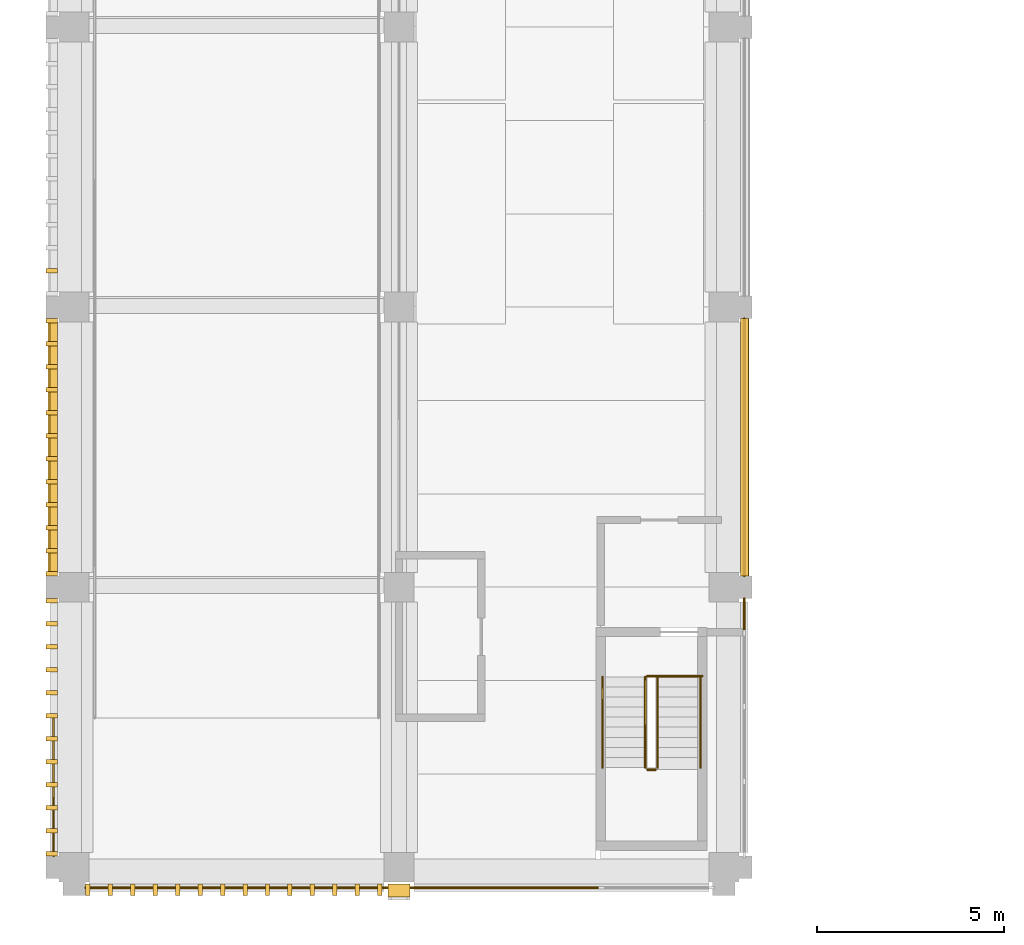
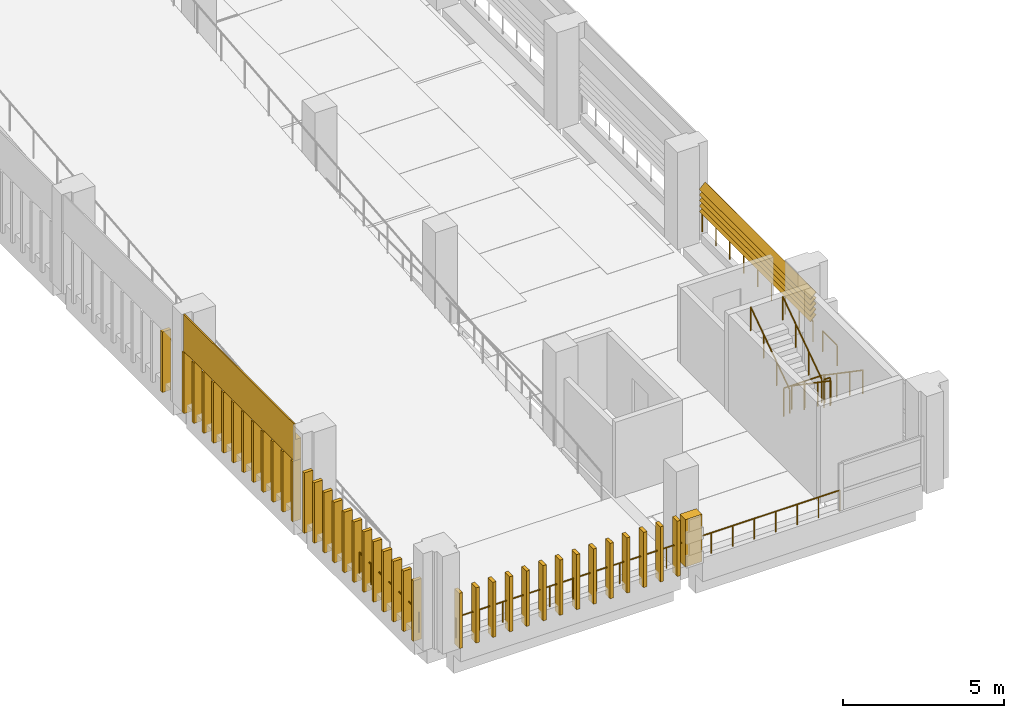
# One storey, part 39 of 71: 41 coverings, 11 railings, 5 shading devices.
"""IFC4 building model written with IfcOpenShell, lengths in metres."""

import ifcopenshell
import ifcopenshell.guid

model = None  # the IFC model being written
_history = None  # IfcOwnerHistory: only IFC2X3 demands one
_inside = {}  # id of a spatial element -> (the spatial element, [elements in it])
_under = {}  # id of a project, library or spatial element -> (it, [spatial elements below it])
_declared = {}  # id of a project -> (the project, [libraries it declares])
_typed = {}  # id of a type object -> (the type object, [elements of that type])
_made_of = {}  # id of a material, layer set ... -> (it, [elements and type objects made of it])


def new_model(schema):
    """Start an empty IFC model of exactly this schema.

    Asked for "IFC4X3", IfcOpenShell would pick the latest addendum, in which some entities
    have other attributes; the version numbers below select the first issue.
    IFC2X3 requires an IfcOwnerHistory on every rooted entity: one is made here for all.
    """
    global model, _history
    if schema == "IFC4X3":
        model = ifcopenshell.file(schema_version=(4, 3, 0, 0))
    else:
        model = ifcopenshell.file(schema=schema)
    _inside.clear()
    _under.clear()
    _declared.clear()
    _typed.clear()
    _made_of.clear()
    _history = None
    if model.schema == "IFC2X3":
        org = make("IfcOrganization", Name="unknown")
        user = make(
            "IfcPersonAndOrganization",
            ThePerson=make("IfcPerson", FamilyName="unknown"),
            TheOrganization=org,
        )
        app = make(
            "IfcApplication",
            ApplicationDeveloper=org,
            Version="unknown",
            ApplicationFullName="unknown",
            ApplicationIdentifier="unknown",
        )
        _history = make(
            "IfcOwnerHistory",
            OwningUser=user,
            OwningApplication=app,
            ChangeAction="ADDED",
            CreationDate=0,
        )
    return model


def make(cls, **values):
    """One entity of the class cls with the attributes given. An attribute that is None is left unset."""
    return model.create_entity(
        cls, **{name: value for name, value in values.items() if value is not None}
    )


def rooted(cls, **values):
    """An entity with a GlobalId (a new one), such as an element, a storey or a relation."""
    return make(cls, GlobalId=ifcopenshell.guid.new(), OwnerHistory=_history, **values)


def si_unit(unit_type, name, prefix=None):
    """IfcSIUnit, for example si_unit("LENGTHUNIT", "METRE", prefix="MILLI")."""
    return make("IfcSIUnit", UnitType=unit_type, Prefix=prefix, Name=name)


def assignment(units):
    """IfcUnitAssignment: the units of a project."""
    return None if units is None else make("IfcUnitAssignment", Units=units)


def point(xyz):
    """IfcCartesianPoint."""
    return None if xyz is None else make("IfcCartesianPoint", Coordinates=xyz)


def direction(xyz):
    """IfcDirection."""
    return None if xyz is None else make("IfcDirection", DirectionRatios=xyz)


def frame(location, z_axis=None, x_axis=None):
    """IfcAxis2Placement3D, a coordinate frame: its origin and axes. An axis left out is left unset."""
    return make(
        "IfcAxis2Placement3D",
        Location=point(location),
        Axis=direction(z_axis),
        RefDirection=direction(x_axis),
    )


def frame_2d(location, x_axis=None):
    """IfcAxis2Placement2D, a coordinate frame in the plane: its origin and x axis."""
    return make(
        "IfcAxis2Placement2D", Location=point(location), RefDirection=direction(x_axis)
    )


def origin():
    """The frame at (0, 0, 0) with its axes left unset."""
    return frame((0.0, 0.0, 0.0))


def origin_2d():
    """The frame at (0, 0) in the plane with its x axis left unset."""
    return frame_2d((0.0, 0.0))


def place(relative_to, where):
    """IfcLocalPlacement: puts the frame where relative to a parent placement (None: the world)."""
    return make(
        "IfcLocalPlacement", PlacementRelTo=relative_to, RelativePlacement=where
    )


def context(
    kind, dimensions, precision=None, world=None, true_north=None, identifier=None
):
    """IfcGeometricRepresentationContext, for example the 3D "Model" context."""
    return make(
        "IfcGeometricRepresentationContext",
        ContextIdentifier=identifier,
        ContextType=kind,
        CoordinateSpaceDimension=dimensions,
        Precision=precision,
        WorldCoordinateSystem=world,
        TrueNorth=true_north,
    )


def subcontext(parent, identifier, kind, view, scale=None):
    """IfcGeometricRepresentationSubContext, for example "Body" below "Model"."""
    return make(
        "IfcGeometricRepresentationSubContext",
        ContextIdentifier=identifier,
        ContextType=kind,
        ParentContext=parent,
        TargetScale=scale,
        TargetView=view,
    )


def project(units=None, contexts=None):
    """IfcProject with its units and contexts."""
    return rooted(
        "IfcProject",
        Name="project",
        RepresentationContexts=contexts,
        UnitsInContext=assignment(units),
    )


def spatial(cls, under=None, at=None, **own):
    """A site, building, storey or space (cls), placed at a placement, below another one or the project."""
    s = rooted(cls, ObjectPlacement=at, **own)
    if under is not None:
        _under.setdefault(under.id(), (under, []))[1].append(s)
    return s


def polyline(points):
    """IfcPolyline through the points."""
    return make("IfcPolyline", Points=[point(p) for p in points])


def profile(cls, at=None, kind="AREA", **sizes):
    """A parametric profile (cls). Its sizes go by their IFC names, for example OverallWidth=200.0."""
    return make(cls, ProfileType=kind, Position=at, **sizes)


def circle(**sizes):
    """IfcCircleProfileDef."""
    return profile("IfcCircleProfileDef", **sizes)


def outline(outer, holes=None, kind="AREA"):
    """IfcArbitraryClosedProfileDef: a profile drawn as a closed curve; with holes, ...WithVoids."""
    if holes is None:
        return make("IfcArbitraryClosedProfileDef", ProfileType=kind, OuterCurve=outer)
    return make(
        "IfcArbitraryProfileDefWithVoids",
        ProfileType=kind,
        OuterCurve=outer,
        InnerCurves=holes,
    )


def extrude(swept, where, along, depth):
    """IfcExtrudedAreaSolid: the profile swept, set in the frame where, extruded along a direction by depth."""
    return make(
        "IfcExtrudedAreaSolid",
        SweptArea=swept,
        Position=where,
        ExtrudedDirection=direction(along),
        Depth=depth,
    )


def shape(context_of_items, identifier, shape_type, items):
    """IfcShapeRepresentation: the items that make up one representation, for example the "Body"."""
    return make(
        "IfcShapeRepresentation",
        ContextOfItems=context_of_items,
        RepresentationIdentifier=identifier,
        RepresentationType=shape_type,
        Items=items,
    )


def material(Name=None, Category=None):
    """IfcMaterial."""
    return make("IfcMaterial", Name=Name, Category=Category)


def layer(
    of_material, thickness, ventilated=None, Name=None, Category=None, Priority=None
):
    """IfcMaterialLayer: one layer of a wall or slab, of a material (None: an air gap)."""
    return make(
        "IfcMaterialLayer",
        Material=of_material,
        LayerThickness=thickness,
        IsVentilated=ventilated,
        Name=Name,
        Category=Category,
        Priority=Priority,
    )


def layer_set(layers, Name=None):
    """IfcMaterialLayerSet."""
    return make("IfcMaterialLayerSet", MaterialLayers=layers, LayerSetName=Name)


def made_of(thing, what):
    """Note that an element or type object is made of a material, layer set ...; save() writes the relation."""
    if what is not None:
        _made_of.setdefault(what.id(), (what, []))[1].append(thing)
    return thing


def type_object(cls, material=None, **own):
    """A type object (cls), such as IfcWallType, which elements share."""
    return made_of(rooted(cls, **own), material)


def element(
    cls,
    number,
    at=None,
    inside=None,
    cuts=None,
    type_object=None,
    material=None,
    context=None,
    identifier="Body",
    shape_type=None,
    held_by="IfcProductDefinitionShape",
    body=None,
    shapes=None,
    **own,
):
    """One element of the class cls, such as IfcWall. Its Tag is "e" and its number.

    at: its placement. inside: the storey or other place that contains it. cuts: it is an
    opening in that element (IfcRelVoidsElement). A single representation is given by context,
    identifier, shape_type and body (its items); several are given by shapes. held_by: the class
    of the entity that holds the representations. save() writes the other relations.
    """
    e = rooted(cls, Tag="e%d" % number, ObjectPlacement=at, **own)
    if body is not None:
        shapes = [shape(context, identifier, shape_type, body)]
    if shapes is not None:
        e.Representation = make(held_by, Representations=shapes)
    if inside is not None:
        _inside.setdefault(inside.id(), (inside, []))[1].append(e)
    if cuts is not None:
        rooted(
            "IfcRelVoidsElement", RelatingBuildingElement=cuts, RelatedOpeningElement=e
        )
    if type_object is not None:
        _typed.setdefault(type_object.id(), (type_object, []))[1].append(e)
    return made_of(e, material)


def aggregate(whole, parts):
    """IfcRelAggregates: a whole, such as a stair, and the parts it consists of."""
    return rooted("IfcRelAggregates", RelatingObject=whole, RelatedObjects=parts)


def save(model, path):
    """Write the relations noted so far, then the file.

    IfcRelAggregates (storeys below a building ...), IfcRelContainedInSpatialStructure (elements
    in a storey), IfcRelDefinesByType, IfcRelAssociatesMaterial and IfcRelDeclares: one each for
    every whole, place, type object, material and project.
    """
    for whole, parts in _under.values():
        aggregate(whole, parts)
    for where, things in _inside.values():
        rooted(
            "IfcRelContainedInSpatialStructure",
            RelatedElements=things,
            RelatingStructure=where,
        )
    for kind, things in _typed.values():
        rooted("IfcRelDefinesByType", RelatedObjects=things, RelatingType=kind)
    for what, things in _made_of.values():
        rooted("IfcRelAssociatesMaterial", RelatedObjects=things, RelatingMaterial=what)
    for by, libraries in _declared.values():
        rooted("IfcRelDeclares", RelatingContext=by, RelatedDefinitions=libraries)
    model.write(path)


model = new_model("IFC4")

# Units and contexts
model_context = context("Model", 3, precision=1e-05, world=origin(), true_north=direction((0.0, 1.0)))
body_context = subcontext(model_context, "Body", "Model", "MODEL_VIEW")
ifc_project = project(units=[si_unit("LENGTHUNIT", "METRE"), si_unit("AREAUNIT", "SQUARE_METRE"), si_unit("VOLUMEUNIT", "CUBIC_METRE"), si_unit("PLANEANGLEUNIT", "RADIAN"), si_unit("MASSUNIT", "GRAM", prefix="KILO")], contexts=[model_context])

# Site, building, storey
site_placement = place(None, origin())
site = spatial("IfcSite", under=ifc_project, at=site_placement, CompositionType="ELEMENT")
building_placement = place(site_placement, origin())
building = spatial("IfcBuilding", under=site, at=building_placement, Name="Cour d'Honneur Mobility Palace", CompositionType="ELEMENT")
storey_placement = place(building_placement, frame((0.0, 0.0, 15.60009765625)))
storey = spatial("IfcBuildingStorey", under=building, at=storey_placement, Name="L04", CompositionType="ELEMENT", Elevation=15.60009765625)

# Railings
ifc_material_1 = material(Name="Painted steel", Category="steel")
railing_type_1 = type_object("IfcRailingType", Name="Balustrade", PredefinedType="BALUSTRADE", material=ifc_material_1)
railing_1_placement = place(storey_placement, frame((0.300048828125, -0.550048828125, 0.2998046875)))
element("IfcRailing", 1, at=railing_1_placement, inside=storey, type_object=railing_type_1, Name="Balustrade BAL-196", PredefinedType="BALUSTRADE", context=body_context, shape_type="SweptSolid", body=[
    extrude(circle(Radius=0.02392578125, at=origin_2d()), frame((0.0, 0.0, 0.77587890625), z_axis=(1.0, 0.0, 0.0), x_axis=(0.0, 1.0, 0.0)), (0.0, 0.0, 1.0), 8.39990234375),
    extrude(circle(Radius=0.02099609375, at=origin_2d()), origin(), (0.0, 0.0, 1.0), 0.751953125),
    extrude(circle(Radius=0.02099609375, at=origin_2d()), frame((0.840087890625, 0.0, 0.0)), (0.0, 0.0, 1.0), 0.751953125),
    extrude(circle(Radius=0.02099609375, at=origin_2d()), frame((1.679931640625, 0.0, 0.0)), (0.0, 0.0, 1.0), 0.751953125),
    extrude(circle(Radius=0.02099609375, at=origin_2d()), frame((2.52001953125, 0.0, 0.0)), (0.0, 0.0, 1.0), 0.751953125),
    extrude(circle(Radius=0.02099609375, at=origin_2d()), frame((3.35986328125, 0.0, 0.0)), (0.0, 0.0, 1.0), 0.751953125),
    extrude(circle(Radius=0.02099609375, at=origin_2d()), frame((4.199951171875, 0.0, 0.0)), (0.0, 0.0, 1.0), 0.751953125),
    extrude(circle(Radius=0.02099609375, at=origin_2d()), frame((5.0400390625, 0.0, 0.0)), (0.0, 0.0, 1.0), 0.751953125),
    extrude(circle(Radius=0.02099609375, at=origin_2d()), frame((5.8798828125, 0.0, 0.0)), (0.0, 0.0, 1.0), 0.751953125),
    extrude(circle(Radius=0.02099609375, at=origin_2d()), frame((6.719970703125, 0.0, 0.0)), (0.0, 0.0, 1.0), 0.751953125),
    extrude(circle(Radius=0.02099609375, at=origin_2d()), frame((7.559814453125, 0.0, 0.0)), (0.0, 0.0, 1.0), 0.751953125),
    extrude(circle(Radius=0.02099609375, at=origin_2d()), frame((8.39990234375, 0.0, 0.0)), (0.0, 0.0, 1.0), 0.751953125),
])
railing_2_placement = place(storey_placement, frame((8.699951171875, -0.550048828125, 0.2998046875)))
element("IfcRailing", 2, at=railing_2_placement, inside=storey, type_object=railing_type_1, Name="Balustrade BAL-197", PredefinedType="BALUSTRADE", context=body_context, shape_type="SweptSolid", body=[
    extrude(circle(Radius=0.02392578125, at=origin_2d()), frame((0.0, 0.0, 0.77587890625), z_axis=(1.0, 0.0, 0.0), x_axis=(0.0, 1.0, 0.0)), (0.0, 0.0, 1.0), 5.400146484375),
    extrude(circle(Radius=0.02099609375, at=origin_2d()), origin(), (0.0, 0.0, 1.0), 0.751953125),
    extrude(circle(Radius=0.02099609375, at=origin_2d()), frame((0.771484375, 0.0, 0.0)), (0.0, 0.0, 1.0), 0.751953125),
    extrude(circle(Radius=0.02099609375, at=origin_2d()), frame((1.54296875, 0.0, 0.0)), (0.0, 0.0, 1.0), 0.751953125),
    extrude(circle(Radius=0.02099609375, at=origin_2d()), frame((2.314453125, 0.0, 0.0)), (0.0, 0.0, 1.0), 0.751953125),
    extrude(circle(Radius=0.02099609375, at=origin_2d()), frame((3.085693359375, 0.0, 0.0)), (0.0, 0.0, 1.0), 0.751953125),
    extrude(circle(Radius=0.02099609375, at=origin_2d()), frame((3.857177734375, 0.0, 0.0)), (0.0, 0.0, 1.0), 0.751953125),
    extrude(circle(Radius=0.02099609375, at=origin_2d()), frame((4.628662109375, 0.0, 0.0)), (0.0, 0.0, 1.0), 0.751953125),
    extrude(circle(Radius=0.02099609375, at=origin_2d()), frame((5.400146484375, 0.0, 0.0)), (0.0, 0.0, 1.0), 0.751953125),
])
railing_3_placement = place(storey_placement, frame((17.949951171875, 6.300048828125, 0.2998046875)))
element("IfcRailing", 3, at=railing_3_placement, inside=storey, type_object=railing_type_1, Name="Balustrade BAL-198", PredefinedType="BALUSTRADE", context=body_context, shape_type="SweptSolid", body=[
    extrude(circle(Radius=0.02392578125, at=origin_2d()), frame((0.0, 0.0, 0.77587890625), z_axis=(0.0, 1.0, 0.0), x_axis=(-1.0, 0.0, 0.0)), (0.0, 0.0, 1.0), 0.89990234375),
    extrude(circle(Radius=0.02099609375, at=origin_2d()), origin(), (0.0, 0.0, 1.0), 0.751953125),
    extrude(circle(Radius=0.02099609375, at=origin_2d()), frame((0.0, 0.89990234375, 0.0)), (0.0, 0.0, 1.0), 0.751953125),
])
railing_4_placement = place(storey_placement, frame((17.949951171875, 7.800048828125, 0.2998046875)))
element("IfcRailing", 4, at=railing_4_placement, inside=storey, type_object=railing_type_1, Name="Balustrade BAL-199", PredefinedType="BALUSTRADE", context=body_context, shape_type="SweptSolid", body=[
    extrude(circle(Radius=0.02392578125, at=origin_2d()), frame((0.0, 0.0, 0.77587890625), z_axis=(0.0, 1.0, 0.0), x_axis=(-1.0, 0.0, 0.0)), (0.0, 0.0, 1.0), 6.89990234375),
    extrude(circle(Radius=0.02099609375, at=origin_2d()), origin(), (0.0, 0.0, 1.0), 0.751953125),
    extrude(circle(Radius=0.02099609375, at=origin_2d()), frame((0.0, 0.862548828125, 0.0)), (0.0, 0.0, 1.0), 0.751953125),
    extrude(circle(Radius=0.02099609375, at=origin_2d()), frame((0.0, 1.72509765625, 0.0)), (0.0, 0.0, 1.0), 0.751953125),
    extrude(circle(Radius=0.02099609375, at=origin_2d()), frame((0.0, 2.58740234375, 0.0)), (0.0, 0.0, 1.0), 0.751953125),
    extrude(circle(Radius=0.02099609375, at=origin_2d()), frame((0.0, 3.449951171875, 0.0)), (0.0, 0.0, 1.0), 0.751953125),
    extrude(circle(Radius=0.02099609375, at=origin_2d()), frame((0.0, 4.3125, 0.0)), (0.0, 0.0, 1.0), 0.751953125),
    extrude(circle(Radius=0.02099609375, at=origin_2d()), frame((0.0, 5.1748046875, 0.0)), (0.0, 0.0, 1.0), 0.751953125),
    extrude(circle(Radius=0.02099609375, at=origin_2d()), frame((0.0, 6.037353515625, 0.0)), (0.0, 0.0, 1.0), 0.751953125),
    extrude(circle(Radius=0.02099609375, at=origin_2d()), frame((0.0, 6.89990234375, 0.0)), (0.0, 0.0, 1.0), 0.751953125),
])
railing_5_placement = place(storey_placement, frame((-0.550048828125, 4.0, 0.2998046875)))
element("IfcRailing", 5, at=railing_5_placement, inside=storey, type_object=railing_type_1, Name="Balustrade BAL-260", PredefinedType="BALUSTRADE", context=body_context, shape_type="SweptSolid", body=[
    extrude(circle(Radius=0.02392578125, at=origin_2d()), frame((0.0, 0.0, 0.77587890625), z_axis=(0.0, -1.0, 0.0), x_axis=(1.0, 0.0, 0.0)), (0.0, 0.0, 1.0), 3.699951171875),
    extrude(circle(Radius=0.02099609375, at=origin_2d()), origin(), (0.0, 0.0, 1.0), 0.751953125),
    extrude(circle(Radius=0.02099609375, at=origin_2d()), frame((0.0, -0.739990234375, 0.0)), (0.0, 0.0, 1.0), 0.751953125),
    extrude(circle(Radius=0.02099609375, at=origin_2d()), frame((0.0, -1.47998046875, 0.0)), (0.0, 0.0, 1.0), 0.751953125),
    extrude(circle(Radius=0.02099609375, at=origin_2d()), frame((0.0, -2.219970703125, 0.0)), (0.0, 0.0, 1.0), 0.751953125),
    extrude(circle(Radius=0.02099609375, at=origin_2d()), frame((0.0, -2.9599609375, 0.0)), (0.0, 0.0, 1.0), 0.751953125),
    extrude(circle(Radius=0.02099609375, at=origin_2d()), frame((0.0, -3.699951171875, 0.0)), (0.0, 0.0, 1.0), 0.751953125),
])
ifc_material_2 = material(Name="Painted steel", Category="steel")
railing_type_2 = type_object("IfcRailingType", Name="Guardrail 1100", PredefinedType="GUARDRAIL", material=ifc_material_2)
railing_6_placement = place(storey_placement, frame((15.35009765625, 5.1201171875, 0.0)))
element("IfcRailing", 6, at=railing_6_placement, inside=storey, type_object=railing_type_2, Name="Guard ST-RW1", PredefinedType="GUARDRAIL", context=body_context, shape_type="SweptSolid", body=[
    extrude(circle(Radius=0.02490234375, at=origin_2d()), frame((0.0, 0.0, 1.0751953125), z_axis=(1.0, 0.0, 0.0), x_axis=(0.0, 1.0, 0.0)), (0.0, 0.0, 1.0), 1.474853515625),
    extrude(circle(Radius=0.02099609375, at=origin_2d()), origin(), (0.0, 0.0, 1.0), 1.050048828125),
    extrude(circle(Radius=0.02099609375, at=origin_2d()), frame((0.7373046875, 0.0, 0.0)), (0.0, 0.0, 1.0), 1.050048828125),
    extrude(circle(Radius=0.02099609375, at=origin_2d()), frame((1.474853515625, 0.0, 0.0)), (0.0, 0.0, 1.0), 1.050048828125),
])
railing_7_placement = place(storey_placement, frame((15.35009765625, 2.610107421875, 1.849853515625)))
element("IfcRailing", 7, at=railing_7_placement, inside=storey, type_object=railing_type_2, Name="Landing guard ST-RW1", PredefinedType="GUARDRAIL", context=body_context, shape_type="SweptSolid", body=[
    extrude(circle(Radius=0.02490234375, at=origin_2d()), frame((0.0, 0.0, 1.0751953125), z_axis=(1.0, 0.0, 0.0), x_axis=(0.0, 1.0, 0.0)), (0.0, 0.0, 1.0), 0.224853515625),
    extrude(circle(Radius=0.02099609375, at=origin_2d()), origin(), (0.0, 0.0, 1.0), 1.050048828125),
    extrude(circle(Radius=0.02099609375, at=origin_2d()), frame((0.224853515625, 0.0, 0.0)), (0.0, 0.0, 1.0), 1.050048828125),
])
ifc_material_3 = material(Name="Stainless steel", Category="steel")
railing_type_3 = type_object("IfcRailingType", Name="Handrail round 50", PredefinedType="HANDRAIL", material=ifc_material_3)
for number, where, name in (
    (8, (16.77490234375, 5.10009765625, 0.184814453125), "Handrail ST-RW1"),
    (9, (15.625, 5.10009765625, 0.184814453125), "Handrail ST-RW1"),
):
    element("IfcRailing", number, at=place(storey_placement, frame(where)), inside=storey, type_object=railing_type_3, Name=name, PredefinedType="HANDRAIL", context=body_context, shape_type="SweptSolid", body=[
        extrude(circle(Radius=0.02490234375, at=origin_2d()), frame((0.0, 0.0, 0.89501953125), z_axis=(0.0, -0.824945253146, 0.565212640793), x_axis=(1.0, 0.0, 0.0)), (0.0, 0.0, 1.0), 2.94580078125),
        extrude(circle(Radius=0.02099609375, at=origin_2d()), origin(), (0.0, 0.0, 1.0), 0.869873046875),
        extrude(circle(Radius=0.02099609375, at=origin_2d()), frame((0.0, -0.81005859375, 0.554931640625)), (0.0, 0.0, 1.0), 0.869873046875),
        extrude(circle(Radius=0.02099609375, at=origin_2d()), frame((0.0, -1.6201171875, 1.110107421875)), (0.0, 0.0, 1.0), 0.869873046875),
        extrude(circle(Radius=0.02099609375, at=origin_2d()), frame((0.0, -2.43017578125, 1.6650390625)), (0.0, 0.0, 1.0), 0.869873046875),
    ])
for number, where, name in (
    (10, (15.300048828125, 2.669921875, 2.034912109375), "Handrail ST-RW1"),
    (11, (14.14990234375, 2.669921875, 2.034912109375), "Handrail ST-RW1"),
):
    element("IfcRailing", number, at=place(storey_placement, frame(where)), inside=storey, type_object=railing_type_3, Name=name, PredefinedType="HANDRAIL", context=body_context, shape_type="SweptSolid", body=[
        extrude(circle(Radius=0.02490234375, at=origin_2d()), frame((0.0, 0.0, 0.89501953125), z_axis=(0.0, 0.824945253146, 0.565212640793), x_axis=(-1.0, 0.0, 0.0)), (0.0, 0.0, 1.0), 2.94580078125),
        extrude(circle(Radius=0.02099609375, at=origin_2d()), origin(), (0.0, 0.0, 1.0), 0.869873046875),
        extrude(circle(Radius=0.02099609375, at=origin_2d()), frame((0.0, 0.81005859375, 0.554931640625)), (0.0, 0.0, 1.0), 0.869873046875),
        extrude(circle(Radius=0.02099609375, at=origin_2d()), frame((0.0, 1.6201171875, 1.110107421875)), (0.0, 0.0, 1.0), 0.869873046875),
        extrude(circle(Radius=0.02099609375, at=origin_2d()), frame((0.0, 2.43017578125, 1.6650390625)), (0.0, 0.0, 1.0), 0.869873046875),
    ])

# Coverings
ifc_material_4 = material(Name="Cast limestone", Category="masonry")
ifc_layer_1 = layer(ifc_material_4, 0.35009765625)
ifc_layer_set_1 = layer_set([ifc_layer_1], Name="Cast limestone")
covering_type_1 = type_object("IfcCoveringType", Name="Pier pilaster", PredefinedType="CLADDING", material=ifc_layer_set_1)
covering_1_placement = place(storey_placement, frame((0.0, 0.0, 0.2998046875)))
element("IfcCovering", 12, at=covering_1_placement, inside=storey, type_object=covering_type_1, Name="Pier pilaster PN-7", PredefinedType="CLADDING", context=body_context, shape_type="SweptSolid", body=[
    extrude(outline(polyline([(8.39990234375, -0.449951171875), (9.0, -0.449951171875), (9.0, -0.800048828125), (8.39990234375, -0.800048828125), (8.39990234375, -0.449951171875)])), origin(), (0.0, 0.0, 1.0), 1.800048828125),
])
ifc_material_5 = material(Name="Cast limestone", Category="masonry")
ifc_layer_2 = layer(ifc_material_5, 0.1201171875)
ifc_layer_set_2 = layer_set([ifc_layer_2], Name="Cast limestone")
covering_type_2 = type_object("IfcCoveringType", Name="Ramp screen fin", PredefinedType="CLADDING", material=ifc_layer_set_2)
covering_2_placement = place(storey_placement, origin())
element("IfcCovering", 13, at=covering_2_placement, inside=storey, type_object=covering_type_2, Name="Ramp screen fin S0.0 L04 1", PredefinedType="CLADDING", context=body_context, shape_type="SweptSolid", body=[
    extrude(outline(polyline([(0.300048828125, -0.449951171875), (0.419921875, -0.449951171875), (0.419921875, -0.75), (0.300048828125, -0.75), (0.300048828125, -0.449951171875)])), origin(), (0.0, 0.0, 1.0), 2.099853515625),
])
covering_3_placement = place(storey_placement, origin())
element("IfcCovering", 14, at=covering_3_placement, inside=storey, type_object=covering_type_2, Name="Ramp screen fin S0.0 L04 2", PredefinedType="CLADDING", context=body_context, shape_type="SweptSolid", body=[
    extrude(outline(polyline([(0.90234375, -0.449951171875), (1.022216796875, -0.449951171875), (1.022216796875, -0.75), (0.90234375, -0.75), (0.90234375, -0.449951171875)])), origin(), (0.0, 0.0, 1.0), 2.099853515625),
])
covering_4_placement = place(storey_placement, origin())
element("IfcCovering", 15, at=covering_4_placement, inside=storey, type_object=covering_type_2, Name="Ramp screen fin S0.0 L04 3", PredefinedType="CLADDING", context=body_context, shape_type="SweptSolid", body=[
    extrude(outline(polyline([(1.504638671875, -0.449951171875), (1.62451171875, -0.449951171875), (1.62451171875, -0.75), (1.504638671875, -0.75), (1.504638671875, -0.449951171875)])), origin(), (0.0, 0.0, 1.0), 2.099853515625),
])
covering_5_placement = place(storey_placement, origin())
element("IfcCovering", 16, at=covering_5_placement, inside=storey, type_object=covering_type_2, Name="Ramp screen fin S0.0 L04 4", PredefinedType="CLADDING", context=body_context, shape_type="SweptSolid", body=[
    extrude(outline(polyline([(2.10693359375, -0.449951171875), (2.226806640625, -0.449951171875), (2.226806640625, -0.75), (2.10693359375, -0.75), (2.10693359375, -0.449951171875)])), origin(), (0.0, 0.0, 1.0), 2.099853515625),
])
covering_6_placement = place(storey_placement, origin())
element("IfcCovering", 17, at=covering_6_placement, inside=storey, type_object=covering_type_2, Name="Ramp screen fin S0.0 L04 5", PredefinedType="CLADDING", context=body_context, shape_type="SweptSolid", body=[
    extrude(outline(polyline([(2.709228515625, -0.449951171875), (2.829345703125, -0.449951171875), (2.829345703125, -0.75), (2.709228515625, -0.75), (2.709228515625, -0.449951171875)])), origin(), (0.0, 0.0, 1.0), 2.099853515625),
])
covering_7_placement = place(storey_placement, origin())
element("IfcCovering", 18, at=covering_7_placement, inside=storey, type_object=covering_type_2, Name="Ramp screen fin S0.0 L04 6", PredefinedType="CLADDING", context=body_context, shape_type="SweptSolid", body=[
    extrude(outline(polyline([(3.3115234375, -0.449951171875), (3.431640625, -0.449951171875), (3.431640625, -0.75), (3.3115234375, -0.75), (3.3115234375, -0.449951171875)])), origin(), (0.0, 0.0, 1.0), 2.099853515625),
])
covering_8_placement = place(storey_placement, origin())
element("IfcCovering", 19, at=covering_8_placement, inside=storey, type_object=covering_type_2, Name="Ramp screen fin S0.0 L04 7", PredefinedType="CLADDING", context=body_context, shape_type="SweptSolid", body=[
    extrude(outline(polyline([(3.913818359375, -0.449951171875), (4.033935546875, -0.449951171875), (4.033935546875, -0.75), (3.913818359375, -0.75), (3.913818359375, -0.449951171875)])), origin(), (0.0, 0.0, 1.0), 2.099853515625),
])
covering_9_placement = place(storey_placement, origin())
element("IfcCovering", 20, at=covering_9_placement, inside=storey, type_object=covering_type_2, Name="Ramp screen fin S0.0 L04 8", PredefinedType="CLADDING", context=body_context, shape_type="SweptSolid", body=[
    extrude(outline(polyline([(4.51611328125, -0.449951171875), (4.63623046875, -0.449951171875), (4.63623046875, -0.75), (4.51611328125, -0.75), (4.51611328125, -0.449951171875)])), origin(), (0.0, 0.0, 1.0), 2.099853515625),
])
covering_10_placement = place(storey_placement, origin())
element("IfcCovering", 21, at=covering_10_placement, inside=storey, type_object=covering_type_2, Name="Ramp screen fin S0.0 L04 9", PredefinedType="CLADDING", context=body_context, shape_type="SweptSolid", body=[
    extrude(outline(polyline([(5.118408203125, -0.449951171875), (5.238525390625, -0.449951171875), (5.238525390625, -0.75), (5.118408203125, -0.75), (5.118408203125, -0.449951171875)])), origin(), (0.0, 0.0, 1.0), 2.099853515625),
])
covering_11_placement = place(storey_placement, origin())
element("IfcCovering", 22, at=covering_11_placement, inside=storey, type_object=covering_type_2, Name="Ramp screen fin S0.0 L04 10", PredefinedType="CLADDING", context=body_context, shape_type="SweptSolid", body=[
    extrude(outline(polyline([(5.720703125, -0.449951171875), (5.8408203125, -0.449951171875), (5.8408203125, -0.75), (5.720703125, -0.75), (5.720703125, -0.449951171875)])), origin(), (0.0, 0.0, 1.0), 2.099853515625),
])
covering_12_placement = place(storey_placement, origin())
element("IfcCovering", 23, at=covering_12_placement, inside=storey, type_object=covering_type_2, Name="Ramp screen fin S0.0 L04 11", PredefinedType="CLADDING", context=body_context, shape_type="SweptSolid", body=[
    extrude(outline(polyline([(6.322998046875, -0.449951171875), (6.443115234375, -0.449951171875), (6.443115234375, -0.75), (6.322998046875, -0.75), (6.322998046875, -0.449951171875)])), origin(), (0.0, 0.0, 1.0), 2.099853515625),
])
covering_13_placement = place(storey_placement, origin())
element("IfcCovering", 24, at=covering_13_placement, inside=storey, type_object=covering_type_2, Name="Ramp screen fin S0.0 L04 12", PredefinedType="CLADDING", context=body_context, shape_type="SweptSolid", body=[
    extrude(outline(polyline([(6.92529296875, -0.449951171875), (7.04541015625, -0.449951171875), (7.04541015625, -0.75), (6.92529296875, -0.75), (6.92529296875, -0.449951171875)])), origin(), (0.0, 0.0, 1.0), 2.099853515625),
])
covering_14_placement = place(storey_placement, origin())
element("IfcCovering", 25, at=covering_14_placement, inside=storey, type_object=covering_type_2, Name="Ramp screen fin S0.0 L04 13", PredefinedType="CLADDING", context=body_context, shape_type="SweptSolid", body=[
    extrude(outline(polyline([(7.527587890625, -0.449951171875), (7.647705078125, -0.449951171875), (7.647705078125, -0.75), (7.527587890625, -0.75), (7.527587890625, -0.449951171875)])), origin(), (0.0, 0.0, 1.0), 2.099853515625),
])
covering_15_placement = place(storey_placement, origin())
element("IfcCovering", 26, at=covering_15_placement, inside=storey, type_object=covering_type_2, Name="Ramp screen fin S0.0 L04 14", PredefinedType="CLADDING", context=body_context, shape_type="SweptSolid", body=[
    extrude(outline(polyline([(8.1298828125, -0.449951171875), (8.25, -0.449951171875), (8.25, -0.75), (8.1298828125, -0.75), (8.1298828125, -0.449951171875)])), origin(), (0.0, 0.0, 1.0), 2.099853515625),
])
covering_16_placement = place(storey_placement, origin())
element("IfcCovering", 27, at=covering_16_placement, inside=storey, type_object=covering_type_2, Name="Ramp screen fin W11.11 L04 11", PredefinedType="CLADDING", context=body_context, shape_type="SweptSolid", body=[
    extrude(outline(polyline([(-0.449951171875, 16.036376953125), (-0.449951171875, 15.916259765625), (-0.75, 15.916259765625), (-0.75, 16.036376953125), (-0.449951171875, 16.036376953125)])), origin(), (0.0, 0.0, 1.0), 2.2998046875),
])
covering_17_placement = place(storey_placement, origin())
element("IfcCovering", 28, at=covering_17_placement, inside=storey, type_object=covering_type_2, Name="Ramp screen fin W11.12 L04 1", PredefinedType="CLADDING", context=body_context, shape_type="SweptSolid", body=[
    extrude(outline(polyline([(-0.449951171875, 14.699951171875), (-0.449951171875, 14.580078125), (-0.75, 14.580078125), (-0.75, 14.699951171875), (-0.449951171875, 14.699951171875)])), origin(), (0.0, 0.0, 1.0), 2.2998046875),
])
covering_18_placement = place(storey_placement, origin())
element("IfcCovering", 29, at=covering_18_placement, inside=storey, type_object=covering_type_2, Name="Ramp screen fin W11.12 L04 2", PredefinedType="CLADDING", context=body_context, shape_type="SweptSolid", body=[
    extrude(outline(polyline([(-0.449951171875, 14.083740234375), (-0.449951171875, 13.963623046875), (-0.75, 13.963623046875), (-0.75, 14.083740234375), (-0.449951171875, 14.083740234375)])), origin(), (0.0, 0.0, 1.0), 2.2998046875),
])
covering_19_placement = place(storey_placement, origin())
element("IfcCovering", 30, at=covering_19_placement, inside=storey, type_object=covering_type_2, Name="Ramp screen fin W11.12 L04 3", PredefinedType="CLADDING", context=body_context, shape_type="SweptSolid", body=[
    extrude(outline(polyline([(-0.449951171875, 13.46728515625), (-0.449951171875, 13.34716796875), (-0.75, 13.34716796875), (-0.75, 13.46728515625), (-0.449951171875, 13.46728515625)])), origin(), (0.0, 0.0, 1.0), 2.2998046875),
])
covering_20_placement = place(storey_placement, origin())
element("IfcCovering", 31, at=covering_20_placement, inside=storey, type_object=covering_type_2, Name="Ramp screen fin W11.12 L04 4", PredefinedType="CLADDING", context=body_context, shape_type="SweptSolid", body=[
    extrude(outline(polyline([(-0.449951171875, 12.850830078125), (-0.449951171875, 12.73095703125), (-0.75, 12.73095703125), (-0.75, 12.850830078125), (-0.449951171875, 12.850830078125)])), origin(), (0.0, 0.0, 1.0), 2.2998046875),
])
covering_21_placement = place(storey_placement, origin())
element("IfcCovering", 32, at=covering_21_placement, inside=storey, type_object=covering_type_2, Name="Ramp screen fin W11.12 L04 5", PredefinedType="CLADDING", context=body_context, shape_type="SweptSolid", body=[
    extrude(outline(polyline([(-0.449951171875, 12.234619140625), (-0.449951171875, 12.114501953125), (-0.75, 12.114501953125), (-0.75, 12.234619140625), (-0.449951171875, 12.234619140625)])), origin(), (0.0, 0.0, 1.0), 2.2998046875),
])
covering_22_placement = place(storey_placement, origin())
element("IfcCovering", 33, at=covering_22_placement, inside=storey, type_object=covering_type_2, Name="Ramp screen fin W11.12 L04 6", PredefinedType="CLADDING", context=body_context, shape_type="SweptSolid", body=[
    extrude(outline(polyline([(-0.449951171875, 11.6181640625), (-0.449951171875, 11.498291015625), (-0.75, 11.498291015625), (-0.75, 11.6181640625), (-0.449951171875, 11.6181640625)])), origin(), (0.0, 0.0, 1.0), 2.2998046875),
])
covering_23_placement = place(storey_placement, origin())
element("IfcCovering", 34, at=covering_23_placement, inside=storey, type_object=covering_type_2, Name="Ramp screen fin W11.12 L04 7", PredefinedType="CLADDING", context=body_context, shape_type="SweptSolid", body=[
    extrude(outline(polyline([(-0.449951171875, 11.001708984375), (-0.449951171875, 10.8818359375), (-0.75, 10.8818359375), (-0.75, 11.001708984375), (-0.449951171875, 11.001708984375)])), origin(), (0.0, 0.0, 1.0), 2.2998046875),
])
covering_24_placement = place(storey_placement, origin())
element("IfcCovering", 35, at=covering_24_placement, inside=storey, type_object=covering_type_2, Name="Ramp screen fin W11.12 L04 8", PredefinedType="CLADDING", context=body_context, shape_type="SweptSolid", body=[
    extrude(outline(polyline([(-0.449951171875, 10.385498046875), (-0.449951171875, 10.265380859375), (-0.75, 10.265380859375), (-0.75, 10.385498046875), (-0.449951171875, 10.385498046875)])), origin(), (0.0, 0.0, 1.0), 2.2998046875),
])
covering_25_placement = place(storey_placement, origin())
element("IfcCovering", 36, at=covering_25_placement, inside=storey, type_object=covering_type_2, Name="Ramp screen fin W11.12 L04 9", PredefinedType="CLADDING", context=body_context, shape_type="SweptSolid", body=[
    extrude(outline(polyline([(-0.449951171875, 9.76904296875), (-0.449951171875, 9.649169921875), (-0.75, 9.649169921875), (-0.75, 9.76904296875), (-0.449951171875, 9.76904296875)])), origin(), (0.0, 0.0, 1.0), 2.2998046875),
])
covering_26_placement = place(storey_placement, origin())
element("IfcCovering", 37, at=covering_26_placement, inside=storey, type_object=covering_type_2, Name="Ramp screen fin W11.12 L04 10", PredefinedType="CLADDING", context=body_context, shape_type="SweptSolid", body=[
    extrude(outline(polyline([(-0.449951171875, 9.15283203125), (-0.449951171875, 9.03271484375), (-0.75, 9.03271484375), (-0.75, 9.15283203125), (-0.449951171875, 9.15283203125)])), origin(), (0.0, 0.0, 1.0), 2.2998046875),
])
covering_27_placement = place(storey_placement, origin())
element("IfcCovering", 38, at=covering_27_placement, inside=storey, type_object=covering_type_2, Name="Ramp screen fin W11.12 L04 11", PredefinedType="CLADDING", context=body_context, shape_type="SweptSolid", body=[
    extrude(outline(polyline([(-0.449951171875, 8.536376953125), (-0.449951171875, 8.416259765625), (-0.75, 8.416259765625), (-0.75, 8.536376953125), (-0.449951171875, 8.536376953125)])), origin(), (0.0, 0.0, 1.0), 2.2998046875),
])
covering_28_placement = place(storey_placement, origin())
element("IfcCovering", 39, at=covering_28_placement, inside=storey, type_object=covering_type_2, Name="Ramp screen fin W11.12 L04 12", PredefinedType="CLADDING", context=body_context, shape_type="SweptSolid", body=[
    extrude(outline(polyline([(-0.449951171875, 7.919921875), (-0.449951171875, 7.800048828125), (-0.75, 7.800048828125), (-0.75, 7.919921875), (-0.449951171875, 7.919921875)])), origin(), (0.0, 0.0, 1.0), 2.2998046875),
])
covering_29_placement = place(storey_placement, origin())
element("IfcCovering", 40, at=covering_29_placement, inside=storey, type_object=covering_type_2, Name="Ramp screen fin W11.13 L04 1", PredefinedType="CLADDING", context=body_context, shape_type="SweptSolid", body=[
    extrude(outline(polyline([(-0.449951171875, 7.199951171875), (-0.449951171875, 7.080078125), (-0.75, 7.080078125), (-0.75, 7.199951171875), (-0.449951171875, 7.199951171875)])), origin(), (0.0, 0.0, 1.0), 2.2998046875),
])
covering_30_placement = place(storey_placement, origin())
element("IfcCovering", 41, at=covering_30_placement, inside=storey, type_object=covering_type_2, Name="Ramp screen fin W11.13 L04 2", PredefinedType="CLADDING", context=body_context, shape_type="SweptSolid", body=[
    extrude(outline(polyline([(-0.449951171875, 6.583740234375), (-0.449951171875, 6.463623046875), (-0.75, 6.463623046875), (-0.75, 6.583740234375), (-0.449951171875, 6.583740234375)])), origin(), (0.0, 0.0, 1.0), 2.2998046875),
])
covering_31_placement = place(storey_placement, origin())
element("IfcCovering", 42, at=covering_31_placement, inside=storey, type_object=covering_type_2, Name="Ramp screen fin W11.13 L04 3", PredefinedType="CLADDING", context=body_context, shape_type="SweptSolid", body=[
    extrude(outline(polyline([(-0.449951171875, 5.96728515625), (-0.449951171875, 5.84716796875), (-0.75, 5.84716796875), (-0.75, 5.96728515625), (-0.449951171875, 5.96728515625)])), origin(), (0.0, 0.0, 1.0), 2.2998046875),
])
covering_32_placement = place(storey_placement, origin())
element("IfcCovering", 43, at=covering_32_placement, inside=storey, type_object=covering_type_2, Name="Ramp screen fin W11.13 L04 4", PredefinedType="CLADDING", context=body_context, shape_type="SweptSolid", body=[
    extrude(outline(polyline([(-0.449951171875, 5.350830078125), (-0.449951171875, 5.23095703125), (-0.75, 5.23095703125), (-0.75, 5.350830078125), (-0.449951171875, 5.350830078125)])), origin(), (0.0, 0.0, 1.0), 2.2998046875),
])
covering_33_placement = place(storey_placement, origin())
element("IfcCovering", 44, at=covering_33_placement, inside=storey, type_object=covering_type_2, Name="Ramp screen fin W11.13 L04 5", PredefinedType="CLADDING", context=body_context, shape_type="SweptSolid", body=[
    extrude(outline(polyline([(-0.449951171875, 4.734619140625), (-0.449951171875, 4.614501953125), (-0.75, 4.614501953125), (-0.75, 4.734619140625), (-0.449951171875, 4.734619140625)])), origin(), (0.0, 0.0, 1.0), 2.2998046875),
])
covering_34_placement = place(storey_placement, origin())
element("IfcCovering", 45, at=covering_34_placement, inside=storey, type_object=covering_type_2, Name="Ramp screen fin W11.13 L04 6", PredefinedType="CLADDING", context=body_context, shape_type="SweptSolid", body=[
    extrude(outline(polyline([(-0.449951171875, 4.1181640625), (-0.449951171875, 3.998291015625), (-0.75, 3.998291015625), (-0.75, 4.1181640625), (-0.449951171875, 4.1181640625)])), origin(), (0.0, 0.0, 1.0), 2.2998046875),
])
covering_35_placement = place(storey_placement, origin())
element("IfcCovering", 46, at=covering_35_placement, inside=storey, type_object=covering_type_2, Name="Ramp screen fin W11.13 L04 7", PredefinedType="CLADDING", context=body_context, shape_type="SweptSolid", body=[
    extrude(outline(polyline([(-0.449951171875, 3.501708984375), (-0.449951171875, 3.3818359375), (-0.75, 3.3818359375), (-0.75, 3.501708984375), (-0.449951171875, 3.501708984375)])), origin(), (0.0, 0.0, 1.0), 2.2998046875),
])
covering_36_placement = place(storey_placement, origin())
element("IfcCovering", 47, at=covering_36_placement, inside=storey, type_object=covering_type_2, Name="Ramp screen fin W11.13 L04 8", PredefinedType="CLADDING", context=body_context, shape_type="SweptSolid", body=[
    extrude(outline(polyline([(-0.449951171875, 2.885498046875), (-0.449951171875, 2.765380859375), (-0.75, 2.765380859375), (-0.75, 2.885498046875), (-0.449951171875, 2.885498046875)])), origin(), (0.0, 0.0, 1.0), 2.2998046875),
])
covering_37_placement = place(storey_placement, origin())
element("IfcCovering", 48, at=covering_37_placement, inside=storey, type_object=covering_type_2, Name="Ramp screen fin W11.13 L04 9", PredefinedType="CLADDING", context=body_context, shape_type="SweptSolid", body=[
    extrude(outline(polyline([(-0.449951171875, 2.26904296875), (-0.449951171875, 2.149169921875), (-0.75, 2.149169921875), (-0.75, 2.26904296875), (-0.449951171875, 2.26904296875)])), origin(), (0.0, 0.0, 1.0), 2.2998046875),
])
covering_38_placement = place(storey_placement, origin())
element("IfcCovering", 49, at=covering_38_placement, inside=storey, type_object=covering_type_2, Name="Ramp screen fin W11.13 L04 10", PredefinedType="CLADDING", context=body_context, shape_type="SweptSolid", body=[
    extrude(outline(polyline([(-0.449951171875, 1.65283203125), (-0.449951171875, 1.53271484375), (-0.75, 1.53271484375), (-0.75, 1.65283203125), (-0.449951171875, 1.65283203125)])), origin(), (0.0, 0.0, 1.0), 2.2998046875),
])
covering_39_placement = place(storey_placement, origin())
element("IfcCovering", 50, at=covering_39_placement, inside=storey, type_object=covering_type_2, Name="Ramp screen fin W11.13 L04 11", PredefinedType="CLADDING", context=body_context, shape_type="SweptSolid", body=[
    extrude(outline(polyline([(-0.449951171875, 1.036376953125), (-0.449951171875, 0.916259765625), (-0.75, 0.916259765625), (-0.75, 1.036376953125), (-0.449951171875, 1.036376953125)])), origin(), (0.0, 0.0, 1.0), 2.2998046875),
])
covering_40_placement = place(storey_placement, origin())
element("IfcCovering", 51, at=covering_40_placement, inside=storey, type_object=covering_type_2, Name="Ramp screen fin W11.13 L04 12", PredefinedType="CLADDING", context=body_context, shape_type="SweptSolid", body=[
    extrude(outline(polyline([(-0.449951171875, 0.419921875), (-0.449951171875, 0.300048828125), (-0.75, 0.300048828125), (-0.75, 0.419921875), (-0.449951171875, 0.419921875)])), origin(), (0.0, 0.0, 1.0), 2.2998046875),
])
ifc_material_6 = material(Name="Cast limestone", Category="masonry")
ifc_layer_3 = layer(ifc_material_6, 0.25)
ifc_layer_set_3 = layer_set([ifc_layer_3], Name="Cast limestone")
covering_type_3 = type_object("IfcCoveringType", Name="Spandrel cladding", PredefinedType="CLADDING", material=ifc_layer_set_3)
covering_41_placement = place(storey_placement, frame((-0.449951171875, 14.699951171875, 2.2998046875), z_axis=(0.0, 1.0, 0.0), x_axis=(-1.0, 0.0, 0.0)))
element("IfcCovering", 52, at=covering_41_placement, inside=storey, type_object=covering_type_3, Name="Spandrel cladding SK-345", PredefinedType="CLADDING", context=body_context, shape_type="SweptSolid", body=[
    extrude(outline(polyline([(0.0, 0.0), (0.25, 0.0), (0.25, 1.400146484375), (0.199951171875, 1.400146484375), (0.199951171875, 0.800048828125), (0.0, 0.800048828125), (0.0, 0.0)])), origin(), (0.0, 0.0, -1.0), 6.89990234375),
])

# Shading devices
ifc_material_7 = material(Name="Terracotta", Category="masonry")
ifc_layer_4 = layer(ifc_material_7, 0.02490234375)
ifc_layer_set_4 = layer_set([ifc_layer_4], Name="Terracotta")
shading_device_type = type_object("IfcShadingDeviceType", Name="Terracotta louvre blade", PredefinedType="JALOUSIE", material=ifc_layer_set_4)
for number, where, z_axis, x_axis, name in (
    (53, (17.843994140625, 7.800048828125, 1.099853515625), (-0.707106781187, 0.0, 0.707106781187), (0.0, 1.0, 0.0), "Louvre blade LV-1 E1.1 L04 1"),
    (54, (17.843994140625, 7.800048828125, 1.31201171875), (-0.707106781187, 0.0, 0.707106781187), (0.0, 1.0, 0.0), "Louvre blade LV-1 E1.1 L04 2"),
    (55, (17.843994140625, 7.800048828125, 1.524169921875), (-0.707106781187, 0.0, 0.707106781187), (0.0, 1.0, 0.0), "Louvre blade LV-1 E1.1 L04 3"),
    (56, (17.843994140625, 7.800048828125, 1.736328125), (-0.707106781187, 0.0, 0.707106781187), (0.0, 1.0, 0.0), "Louvre blade LV-1 E1.1 L04 4"),
    (57, (17.843994140625, 7.800048828125, 1.948486328125), (-0.707106781187, 0.0, 0.707106781187), (0.0, 1.0, 0.0), "Louvre blade LV-1 E1.1 L04 5"),
):
    element("IfcShadingDevice", number, at=place(storey_placement, frame(where, z_axis=z_axis, x_axis=x_axis)), inside=storey, type_object=shading_device_type, Name=name, PredefinedType="JALOUSIE", context=body_context, shape_type="SweptSolid", body=[
        extrude(outline(polyline([(0.0, 0.0), (6.89990234375, 0.0), (6.89990234375, -0.300037008228081), (0.0, -0.300037008228081), (0.0, 0.0)])), origin(), (0.0, 0.0, -1.0), 0.02490234375),
    ])

save(model, "model.ifc")
